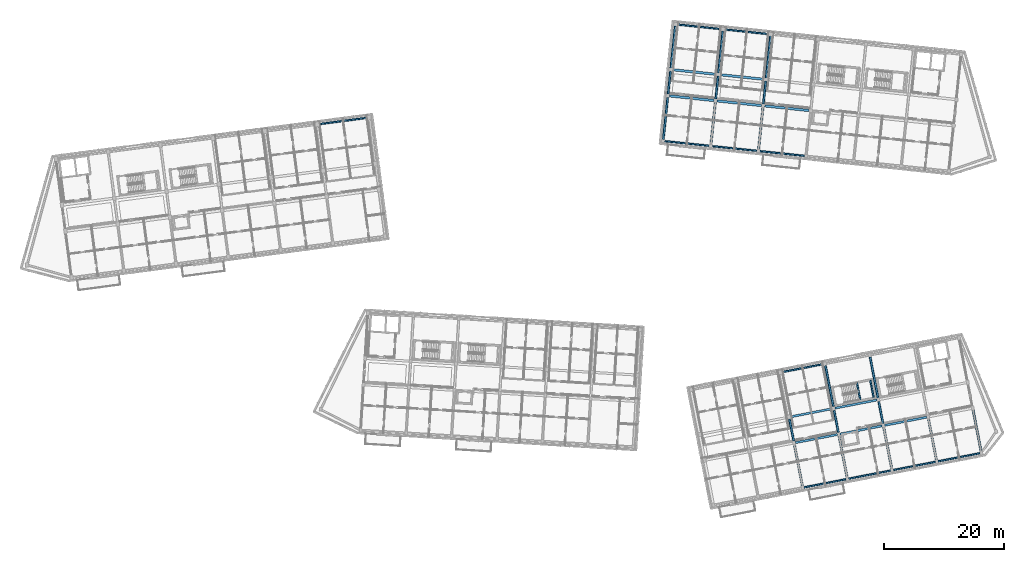
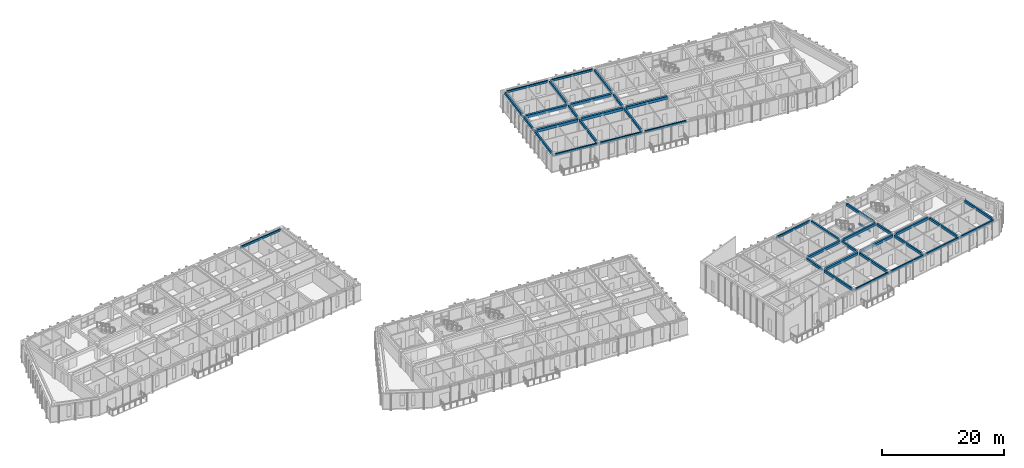
# One storey, part 7 of 65: 42 beams.
"""IFC4 building model written with IfcOpenShell, lengths in metres."""

from ifc_helpers import new_model, si_unit, direction, frame, origin, origin_2d, place, context, subcontext, project, spatial, rectangle, extrude, material, material_profile, profile_set, type_object, element, save


model = new_model("IFC4")

# Units and contexts
model_context = context("Model", 3, precision=1e-05, world=origin(), true_north=direction((0.0, 1.0)))
body_context = subcontext(model_context, "Body", "Model", "MODEL_VIEW")
ifc_project = project(units=[si_unit("LENGTHUNIT", "METRE"), si_unit("AREAUNIT", "SQUARE_METRE"), si_unit("VOLUMEUNIT", "CUBIC_METRE"), si_unit("PLANEANGLEUNIT", "RADIAN"), si_unit("MASSUNIT", "GRAM", prefix="KILO")], contexts=[model_context])

# Site, building, storey
site_placement = place(None, origin())
site = spatial("IfcSite", under=ifc_project, at=site_placement, CompositionType="ELEMENT")
building_placement = place(site_placement, origin())
building = spatial("IfcBuilding", under=site, at=building_placement, Name="Kestramere Prow Commons", CompositionType="ELEMENT")
storey_placement = place(building_placement, frame((0.0, 0.0, 21.39990234375)))
storey = spatial("IfcBuildingStorey", under=building, at=storey_placement, Name="L06", CompositionType="ELEMENT", Elevation=21.39990234375)

# Beams
ifc_material_1 = material(Name="Precast concrete C40/50", Category="concrete")
ifc_material_profile_1 = material_profile(ifc_material_1, rectangle(XDim=0.39990234375, YDim=0.550048828125, at=origin_2d()), Name="PC-BM 400x550")
ifc_profile_set_1 = profile_set([ifc_material_profile_1], Name="Precast concrete C40/50")
beam_type_1 = type_object("IfcBeamType", Name="BM-B1 PC-BM 400x550", PredefinedType="BEAM", material=ifc_profile_set_1)
for number, where, z_axis, x_axis, name in (
    (1, (111.06787109375, 102.32958984375, 2.72509765625), (0.994520884665, -0.104538079019, 0.0), (0.104538079019, 0.994520884665, 0.0), "Block B L06 Longitudinal Beam 2-1"),
    (2, (119.024169921875, 101.493408203125, 2.72509765625), (0.994520884665, -0.104538079019, 0.0), (0.104538079019, 0.994520884665, 0.0), "Block B L06 Longitudinal Beam 2-2"),
    (3, (126.980224609375, 100.6572265625, 2.72509765625), (0.994520884665, -0.104538079019, 0.0), (0.104538079019, 0.994520884665, 0.0), "Block B L06 Longitudinal Beam 2-3"),
    (4, (111.52783203125, 106.70556640625, 2.72509765625), (0.994520884665, -0.104538079019, 0.0), (0.104538079019, 0.994520884665, 0.0), "Block B L06 Longitudinal Beam 3-1"),
    (5, (119.484130859375, 105.869384765625, 2.72509765625), (0.994520884665, -0.104538079019, 0.0), (0.104538079019, 0.994520884665, 0.0), "Block B L06 Longitudinal Beam 3-2"),
):
    element("IfcBeam", number, at=place(storey_placement, frame(where, z_axis=z_axis, x_axis=x_axis)), inside=storey, type_object=beam_type_1, Name=name, PredefinedType="BEAM", context=body_context, shape_type="SweptSolid", body=[
        extrude(rectangle(XDim=0.39990234375, YDim=0.550048828125, at=origin_2d()), origin(), (0.0, 0.0, 1.0), 7.449951171875),
    ])
ifc_material_profile_2 = material_profile(ifc_material_1, rectangle(XDim=0.35009765625, YDim=0.5, at=origin_2d()), Name="PC-BM 350x500")
ifc_profile_set_2 = profile_set([ifc_material_profile_2], Name="Precast concrete C40/50")
beam_type_2 = type_object("IfcBeamType", Name="BM-D1 PC-BM 350x500", PredefinedType="BEAM", material=ifc_profile_set_2)
beam_1_placement = place(storey_placement, frame((132.091552734375, 44.403564453125, 2.75), z_axis=(0.981627472063, 0.190807510571, 0.0), x_axis=(-0.190807510571, 0.981627472063, 0.0)))
element("IfcBeam", 6, at=beam_1_placement, inside=storey, type_object=beam_type_2, Name="Block D L06 Longitudinal Beam 2-3", PredefinedType="BEAM", context=body_context, shape_type="SweptSolid", body=[
    extrude(rectangle(XDim=0.35009765625, YDim=0.5, at=origin_2d()), origin(), (0.0, 0.0, 1.0), 7.14990234375),
])
beam_2_placement = place(storey_placement, frame((139.5517578125, 45.853759765625, 2.75), z_axis=(0.981628715169, 0.190801115182, 0.0), x_axis=(-0.190801115182, 0.981628715169, 0.0)))
element("IfcBeam", 7, at=beam_2_placement, inside=storey, type_object=beam_type_2, Name="Block D L06 Longitudinal Beam 2-4", PredefinedType="BEAM", context=body_context, shape_type="SweptSolid", body=[
    extrude(rectangle(XDim=0.35009765625, YDim=0.5, at=origin_2d()), origin(), (0.0, 0.0, 1.0), 7.150146484375),
])
for number, where, z_axis, x_axis, name in (
    (8, (147.01220703125, 47.303955078125, 2.75), (0.981627472063, 0.190807510571, 0.0), (-0.190807510571, 0.981627472063, 0.0), "Block D L06 Longitudinal Beam 2-5"),
    (9, (131.251953125, 48.72265625, 2.75), (0.981621075955, 0.19084041302, 0.0), (-0.19084041302, 0.981621075955, 0.0), "Block D L06 Longitudinal Beam 3-3"),
):
    element("IfcBeam", number, at=place(storey_placement, frame(where, z_axis=z_axis, x_axis=x_axis)), inside=storey, type_object=beam_type_2, Name=name, PredefinedType="BEAM", context=body_context, shape_type="SweptSolid", body=[
        extrude(rectangle(XDim=0.35009765625, YDim=0.5, at=origin_2d()), origin(), (0.0, 0.0, 1.0), 7.14990234375),
    ])
beam_3_placement = place(storey_placement, frame((138.712158203125, 50.1728515625, 2.75), z_axis=(0.981628715169, 0.190801115182, 0.0), x_axis=(-0.190801115182, 0.981628715169, 0.0)))
element("IfcBeam", 10, at=beam_3_placement, inside=storey, type_object=beam_type_2, Name="Block D L06 Longitudinal Beam 3-4", PredefinedType="BEAM", context=body_context, shape_type="SweptSolid", body=[
    extrude(rectangle(XDim=0.35009765625, YDim=0.5, at=origin_2d()), origin(), (0.0, 0.0, 1.0), 7.150146484375),
])
ifc_material_2 = material(Name="Concrete C40/50", Category="concrete")
ifc_material_profile_3 = material_profile(ifc_material_2, rectangle(XDim=0.25, YDim=0.35009765625, at=origin_2d()), Name="PC-BM 250x350")
ifc_profile_set_3 = profile_set([ifc_material_profile_3], Name="Concrete C40/50")
beam_type_3 = type_object("IfcBeamType", Name="BM-ST-TRIM", PredefinedType="BEAM", material=ifc_profile_set_3)
beam_4_placement = place(storey_placement, frame((142.92529296875, 51.53173828125, 1.25), z_axis=(-0.190752078966, 0.981638245165, 0.0), x_axis=(-0.981638245165, -0.190752078966, 0.0)))
element("IfcBeam", 11, at=beam_4_placement, inside=storey, type_object=beam_type_3, Name="ST-D1 L06 Landing Trimmer Beam 1A", PredefinedType="BEAM", context=body_context, shape_type="SweptSolid", body=[
    extrude(rectangle(XDim=0.25, YDim=0.35009765625, at=origin_2d()), origin(), (0.0, 0.0, 1.0), 2.889892578125),
])
beam_5_placement = place(storey_placement, frame((145.16357421875, 51.966796875, 1.25), z_axis=(-0.190833481473, 0.981622423516, 0.0), x_axis=(-0.981622423516, -0.190833481473, 0.0)))
element("IfcBeam", 12, at=beam_5_placement, inside=storey, type_object=beam_type_3, Name="ST-D1 L06 Landing Trimmer Beam 1B", PredefinedType="BEAM", context=body_context, shape_type="SweptSolid", body=[
    extrude(rectangle(XDim=0.25, YDim=0.35009765625, at=origin_2d()), origin(), (0.0, 0.0, 1.0), 2.89013671875),
])
ifc_material_profile_4 = material_profile(ifc_material_1, rectangle(XDim=0.300048828125, YDim=0.5, at=origin_2d()), Name="PC-BM 300x500")
ifc_profile_set_4 = profile_set([ifc_material_profile_4], Name="Precast concrete C40/50")
beam_type_4 = type_object("IfcBeamType", Name="BM-TIE-01 PC-BM 300x500", PredefinedType="BEAM", material=ifc_profile_set_4)
beam_6_placement = place(storey_placement, frame((110.02880859375, 95.073486328125, 2.75), z_axis=(0.104511730475, 0.994523653913, 0.0), x_axis=(-0.994523653913, 0.104511730475, 0.0)))
element("IfcBeam", 13, at=beam_6_placement, inside=storey, type_object=beam_type_4, Name="Block B L06 Transverse Beam 1-1", PredefinedType="BEAM", context=body_context, shape_type="SweptSolid", body=[
    extrude(rectangle(XDim=0.300048828125, YDim=0.5, at=origin_2d()), origin(), (0.0, 0.0, 1.0), 7.050048828125),
])
beam_7_placement = place(storey_placement, frame((110.8232421875, 102.6318359375, 2.75), z_axis=(0.104506528251, 0.994524200587, 0.0), x_axis=(-0.994524200587, 0.104506528251, 0.0)))
element("IfcBeam", 14, at=beam_7_placement, inside=storey, type_object=beam_type_4, Name="Block B L06 Transverse Beam 1-2", PredefinedType="BEAM", context=body_context, shape_type="SweptSolid", body=[
    extrude(rectangle(XDim=0.300048828125, YDim=0.5, at=origin_2d()), origin(), (0.0, 0.0, 1.0), 3.849853515625),
])
for number, where, z_axis, x_axis, name in (
    (15, (111.283203125, 107.0078125, 2.75), (0.104515329964, 0.994523275646, 0.0), (-0.994523275646, 0.104515329964, 0.0), "Block B L06 Transverse Beam 1-3"),
    (16, (117.98486328125, 94.2373046875, 2.75), (0.104549582151, 0.994519675458, 0.0), (-0.994519675458, 0.104549582151, 0.0), "Block B L06 Transverse Beam 2-1"),
):
    element("IfcBeam", number, at=place(storey_placement, frame(where, z_axis=z_axis, x_axis=x_axis)), inside=storey, type_object=beam_type_4, Name=name, PredefinedType="BEAM", context=body_context, shape_type="SweptSolid", body=[
        extrude(rectangle(XDim=0.300048828125, YDim=0.5, at=origin_2d()), origin(), (0.0, 0.0, 1.0), 7.0498046875),
    ])
beam_8_placement = place(storey_placement, frame((118.779296875, 101.795654296875, 2.75), z_axis=(0.104569249198, 0.994517607749, 0.0), x_axis=(-0.994517607749, 0.104569249198, 0.0)))
element("IfcBeam", 17, at=beam_8_placement, inside=storey, type_object=beam_type_4, Name="Block B L06 Transverse Beam 2-2", PredefinedType="BEAM", context=body_context, shape_type="SweptSolid", body=[
    extrude(rectangle(XDim=0.300048828125, YDim=0.5, at=origin_2d()), origin(), (0.0, 0.0, 1.0), 3.849853515625),
])
for number, where, z_axis, x_axis, name in (
    (18, (119.2392578125, 106.171630859375, 2.75), (0.104515329964, 0.994523275646, 0.0), (-0.994523275646, 0.104515329964, 0.0), "Block B L06 Transverse Beam 2-3"),
    (19, (125.941162109375, 93.401123046875, 2.75), (0.104515329964, 0.994523275646, 0.0), (-0.994523275646, 0.104515329964, 0.0), "Block B L06 Transverse Beam 3-1"),
):
    element("IfcBeam", number, at=place(storey_placement, frame(where, z_axis=z_axis, x_axis=x_axis)), inside=storey, type_object=beam_type_4, Name=name, PredefinedType="BEAM", context=body_context, shape_type="SweptSolid", body=[
        extrude(rectangle(XDim=0.300048828125, YDim=0.5, at=origin_2d()), origin(), (0.0, 0.0, 1.0), 7.0498046875),
    ])
beam_9_placement = place(storey_placement, frame((126.735595703125, 100.95947265625, 2.75), z_axis=(0.104506528251, 0.994524200587, 0.0), x_axis=(-0.994524200587, 0.104506528251, 0.0)))
element("IfcBeam", 20, at=beam_9_placement, inside=storey, type_object=beam_type_4, Name="Block B L06 Transverse Beam 3-2", PredefinedType="BEAM", context=body_context, shape_type="SweptSolid", body=[
    extrude(rectangle(XDim=0.300048828125, YDim=0.5, at=origin_2d()), origin(), (0.0, 0.0, 1.0), 3.849853515625),
])
beam_10_placement = place(storey_placement, frame((127.195556640625, 105.335205078125, 2.75), z_axis=(0.104511730475, 0.994523653913, 0.0), x_axis=(-0.994523653913, 0.104511730475, 0.0)))
element("IfcBeam", 21, at=beam_10_placement, inside=storey, type_object=beam_type_4, Name="Block B L06 Transverse Beam 3-3", PredefinedType="BEAM", context=body_context, shape_type="SweptSolid", body=[
    extrude(rectangle(XDim=0.300048828125, YDim=0.5, at=origin_2d()), origin(), (0.0, 0.0, 1.0), 7.050048828125),
])
beam_11_placement = place(storey_placement, frame((133.2587890625, 37.21923828125, 2.75), z_axis=(-0.19081042584, 0.981626905393, 0.0), x_axis=(-0.981626905393, -0.19081042584, 0.0)))
element("IfcBeam", 22, at=beam_11_placement, inside=storey, type_object=beam_type_4, Name="Block D L06 Transverse Beam 3-1", PredefinedType="BEAM", context=body_context, shape_type="SweptSolid", body=[
    extrude(rectangle(XDim=0.300048828125, YDim=0.5, at=origin_2d()), origin(), (0.0, 0.0, 1.0), 6.9501953125),
])
beam_12_placement = place(storey_placement, frame((131.80859375, 44.6796875, 2.75), z_axis=(-0.190817382683, 0.981625553083, 0.0), x_axis=(-0.981625553083, -0.190817382683, 0.0)))
element("IfcBeam", 23, at=beam_12_placement, inside=storey, type_object=beam_type_4, Name="Block D L06 Transverse Beam 3-2", PredefinedType="BEAM", context=body_context, shape_type="SweptSolid", body=[
    extrude(rectangle(XDim=0.300048828125, YDim=0.5, at=origin_2d()), origin(), (0.0, 0.0, 1.0), 3.75),
])
beam_13_placement = place(storey_placement, frame((140.718994140625, 38.66943359375, 2.75), z_axis=(-0.190783155939, 0.981632205773, 0.0), x_axis=(-0.981632205773, -0.190783155939, 0.0)))
element("IfcBeam", 24, at=beam_13_placement, inside=storey, type_object=beam_type_4, Name="Block D L06 Transverse Beam 4-1", PredefinedType="BEAM", context=body_context, shape_type="SweptSolid", body=[
    extrude(rectangle(XDim=0.300048828125, YDim=0.5, at=origin_2d()), origin(), (0.0, 0.0, 1.0), 6.949951171875),
])
beam_14_placement = place(storey_placement, frame((139.26904296875, 46.1298828125, 2.75), z_axis=(-0.190817382683, 0.981625553083, 0.0), x_axis=(-0.981625553083, -0.190817382683, 0.0)))
element("IfcBeam", 25, at=beam_14_placement, inside=storey, type_object=beam_type_4, Name="Block D L06 Transverse Beam 4-2", PredefinedType="BEAM", context=body_context, shape_type="SweptSolid", body=[
    extrude(rectangle(XDim=0.300048828125, YDim=0.5, at=origin_2d()), origin(), (0.0, 0.0, 1.0), 3.75),
])
for number, where, z_axis, x_axis, name in (
    (26, (138.429443359375, 50.448974609375, 2.75), (-0.190817005532, 0.981625626397, 0.0), (-0.981625626397, -0.190817005532, 0.0), "Block D L06 Transverse Beam 4-3"),
    (27, (148.179443359375, 40.11962890625, 2.75), (-0.190817005532, 0.981625626397, 0.0), (-0.981625626397, -0.190817005532, 0.0), "Block D L06 Transverse Beam 5-1"),
):
    element("IfcBeam", number, at=place(storey_placement, frame(where, z_axis=z_axis, x_axis=x_axis)), inside=storey, type_object=beam_type_4, Name=name, PredefinedType="BEAM", context=body_context, shape_type="SweptSolid", body=[
        extrude(rectangle(XDim=0.300048828125, YDim=0.5, at=origin_2d()), origin(), (0.0, 0.0, 1.0), 6.949951171875),
    ])
beam_15_placement = place(storey_placement, frame((146.729248046875, 47.580078125, 2.75), z_axis=(-0.190829578001, 0.981623182367, 0.0), x_axis=(-0.981623182367, -0.190829578001, 0.0)))
element("IfcBeam", 28, at=beam_15_placement, inside=storey, type_object=beam_type_4, Name="Block D L06 Transverse Beam 5-2", PredefinedType="BEAM", context=body_context, shape_type="SweptSolid", body=[
    extrude(rectangle(XDim=0.300048828125, YDim=0.5, at=origin_2d()), origin(), (0.0, 0.0, 1.0), 3.749755859375),
])
for number, where, z_axis, x_axis, name in (
    (29, (145.8896484375, 51.899169921875, 2.75), (-0.190783155939, 0.981632205773, 0.0), (-0.981632205773, -0.190783155939, 0.0), "Block D L06 Transverse Beam 5-3"),
    (30, (155.639892578125, 41.56982421875, 2.75), (-0.190817005532, 0.981625626397, 0.0), (-0.981625626397, -0.190817005532, 0.0), "Block D L06 Transverse Beam 6-1"),
    (31, (163.10009765625, 43.02001953125, 2.75), (-0.190783155939, 0.981632205773, 0.0), (-0.981632205773, -0.190783155939, 0.0), "Block D L06 Transverse Beam 7-1"),
):
    element("IfcBeam", number, at=place(storey_placement, frame(where, z_axis=z_axis, x_axis=x_axis)), inside=storey, type_object=beam_type_4, Name=name, PredefinedType="BEAM", context=body_context, shape_type="SweptSolid", body=[
        extrude(rectangle(XDim=0.300048828125, YDim=0.5, at=origin_2d()), origin(), (0.0, 0.0, 1.0), 6.949951171875),
    ])
ifc_material_profile_5 = material_profile(ifc_material_1, rectangle(XDim=0.25, YDim=0.39990234375, at=origin_2d()), Name="PC-SP 250x400")
ifc_profile_set_5 = profile_set([ifc_material_profile_5], Name="Precast concrete C40/50")
beam_type_5 = type_object("IfcBeamType", Name="SP-EXT-01 PC-SP 250x400", PredefinedType="SPANDREL", material=ifc_profile_set_5)
beam_16_placement = place(storey_placement, frame((52.485595703125, 97.60791015625, 2.800048828125), z_axis=(0.991443917843, 0.130533358852, 0.0), x_axis=(-0.130533358852, 0.991443917843, 0.0)))
element("IfcBeam", 32, at=beam_16_placement, inside=storey, type_object=beam_type_5, Name="Block A L06 Longitudinal Beam 4-6", PredefinedType="SPANDREL", context=body_context, shape_type="SweptSolid", body=[
    extrude(rectangle(XDim=0.25, YDim=0.39990234375, at=origin_2d()), origin(), (0.0, 0.0, 1.0), 8.25),
])
for number, where, z_axis, x_axis, name in (
    (33, (110.2734375, 94.771240234375, 2.800048828125), (0.994520884665, -0.104538079019, 0.0), (0.104538079019, 0.994520884665, 0.0), "Block B L06 Longitudinal Beam 1-1"),
    (34, (118.229736328125, 93.93505859375, 2.800048828125), (0.994520884665, -0.104538079019, 0.0), (0.104538079019, 0.994520884665, 0.0), "Block B L06 Longitudinal Beam 1-2"),
    (35, (126.185791015625, 93.098876953125, 2.800048828125), (0.994520884665, -0.104538079019, 0.0), (0.104538079019, 0.994520884665, 0.0), "Block B L06 Longitudinal Beam 1-3"),
    (36, (112.322265625, 114.263916015625, 2.800048828125), (0.994520884665, -0.104538079019, 0.0), (0.104538079019, 0.994520884665, 0.0), "Block B L06 Longitudinal Beam 4-1"),
    (37, (120.2783203125, 113.427734375, 2.800048828125), (0.994520884665, -0.104538079019, 0.0), (0.104538079019, 0.994520884665, 0.0), "Block B L06 Longitudinal Beam 4-2"),
):
    element("IfcBeam", number, at=place(storey_placement, frame(where, z_axis=z_axis, x_axis=x_axis)), inside=storey, type_object=beam_type_5, Name=name, PredefinedType="SPANDREL", context=body_context, shape_type="SweptSolid", body=[
        extrude(rectangle(XDim=0.25, YDim=0.39990234375, at=origin_2d()), origin(), (0.0, 0.0, 1.0), 7.449951171875),
    ])
beam_17_placement = place(storey_placement, frame((133.54150390625, 36.943115234375, 2.800048828125), z_axis=(0.981622319481, 0.190834016612, 0.0), x_axis=(-0.190834016612, 0.981622319481, 0.0)))
element("IfcBeam", 38, at=beam_17_placement, inside=storey, type_object=beam_type_5, Name="Block D L06 Longitudinal Beam 1-3", PredefinedType="SPANDREL", context=body_context, shape_type="SweptSolid", body=[
    extrude(rectangle(XDim=0.25, YDim=0.39990234375, at=origin_2d()), origin(), (0.0, 0.0, 1.0), 7.150146484375),
])
for number, where, z_axis, x_axis, name in (
    (39, (141.001953125, 38.393310546875, 2.800048828125), (0.981627472063, 0.190807510571, 0.0), (-0.190807510571, 0.981627472063, 0.0), "Block D L06 Longitudinal Beam 1-4"),
    (40, (148.46240234375, 39.843505859375, 2.800048828125), (0.981627472063, 0.190807510571, 0.0), (-0.190807510571, 0.981627472063, 0.0), "Block D L06 Longitudinal Beam 1-5"),
):
    element("IfcBeam", number, at=place(storey_placement, frame(where, z_axis=z_axis, x_axis=x_axis)), inside=storey, type_object=beam_type_5, Name=name, PredefinedType="SPANDREL", context=body_context, shape_type="SweptSolid", body=[
        extrude(rectangle(XDim=0.25, YDim=0.39990234375, at=origin_2d()), origin(), (0.0, 0.0, 1.0), 7.14990234375),
    ])
beam_18_placement = place(storey_placement, frame((155.922607421875, 41.293701171875, 2.800048828125), z_axis=(0.981628715169, 0.190801115182, 0.0), x_axis=(-0.190801115182, 0.981628715169, 0.0)))
element("IfcBeam", 41, at=beam_18_placement, inside=storey, type_object=beam_type_5, Name="Block D L06 Longitudinal Beam 1-6", PredefinedType="SPANDREL", context=body_context, shape_type="SweptSolid", body=[
    extrude(rectangle(XDim=0.25, YDim=0.39990234375, at=origin_2d()), origin(), (0.0, 0.0, 1.0), 7.150146484375),
])
beam_19_placement = place(storey_placement, frame((129.8017578125, 56.18310546875, 2.800048828125), z_axis=(0.981627472063, 0.190807510571, 0.0), x_axis=(-0.190807510571, 0.981627472063, 0.0)))
element("IfcBeam", 42, at=beam_19_placement, inside=storey, type_object=beam_type_5, Name="Block D L06 Longitudinal Beam 4-3", PredefinedType="SPANDREL", context=body_context, shape_type="SweptSolid", body=[
    extrude(rectangle(XDim=0.25, YDim=0.39990234375, at=origin_2d()), origin(), (0.0, 0.0, 1.0), 7.14990234375),
])

save(model, "model.ifc")
